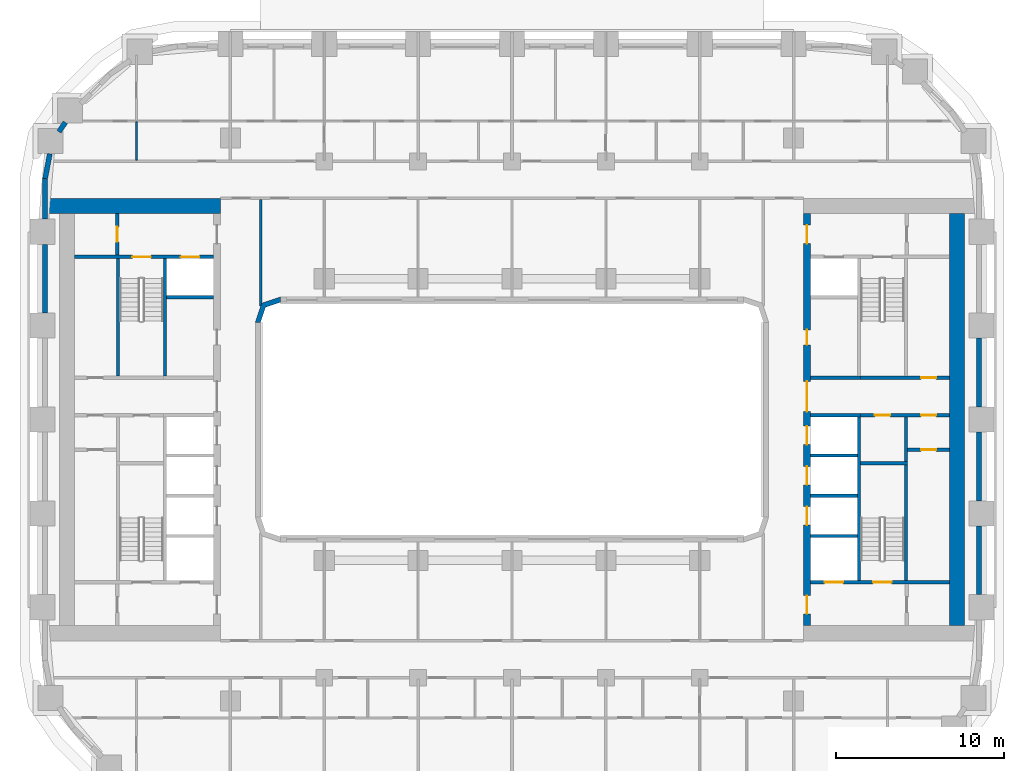
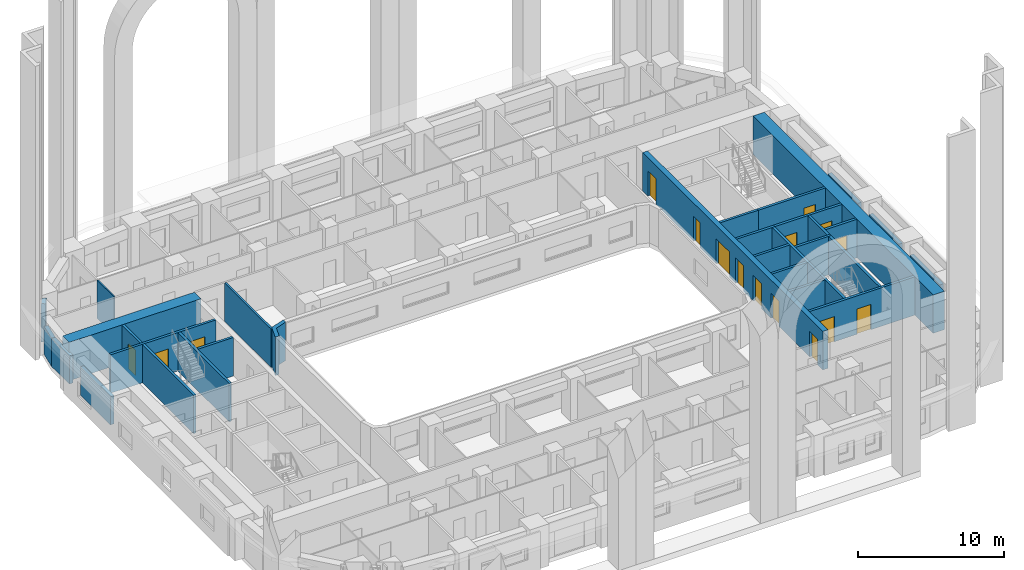
# One storey, part 6 of 21: 31 walls, 16 doors, 16 openings.
"""IFC4 building model written with IfcOpenShell, lengths in metres."""

from ifc_helpers import new_model, si_unit, direction, frame, frame_2d, origin, place, context, subcontext, project, spatial, polyline, rectangle, outline, extrude, material, layer, layer_set, type_object, element, fill, save


model = new_model("IFC4")

# Units and contexts
model_context = context("Model", 3, precision=1e-05, world=origin(), true_north=direction((0.0, 1.0)))
body_context = subcontext(model_context, "Body", "Model", "MODEL_VIEW")
ifc_project = project(units=[si_unit("LENGTHUNIT", "METRE"), si_unit("AREAUNIT", "SQUARE_METRE"), si_unit("VOLUMEUNIT", "CUBIC_METRE"), si_unit("PLANEANGLEUNIT", "RADIAN"), si_unit("MASSUNIT", "GRAM", prefix="KILO")], contexts=[model_context])

# Site, building, storey
site_placement = place(None, origin())
site = spatial("IfcSite", under=ifc_project, at=site_placement, CompositionType="ELEMENT")
building_placement = place(site_placement, origin())
building = spatial("IfcBuilding", under=site, at=building_placement, Name="Kiln Ring Residences", CompositionType="ELEMENT")
storey_placement = place(building_placement, frame((0.0, 0.0, 30.5)))
storey = spatial("IfcBuildingStorey", under=building, at=storey_placement, Name="L06", CompositionType="ELEMENT", Elevation=30.5)

# Wall, opening, door
ifc_material_1 = material(Name="Gypsum board on steel studs", Category="steel")
ifc_layer_1 = layer(ifc_material_1, 0.199951171875)
ifc_layer_set_1 = layer_set([ifc_layer_1], Name="CORE-PARTITION-200")
wall_type_1 = type_object("IfcWallType", Name="CORE-PARTITION-200", PredefinedType="PARTITIONING", material=ifc_layer_set_1)
wall_1_placement = place(storey_placement, frame((-23.550048828125, 9.800048828125, 0.0), z_axis=(0.0, 0.0, 1.0), x_axis=(0.0, 1.0, 0.0)))
wall_1 = element("IfcWall", 1, at=wall_1_placement, inside=storey, type_object=wall_type_1, Name="Core partition west L06 3", PredefinedType="PARTITIONING", context=body_context, shape_type="SweptSolid", body=[
    extrude(rectangle(XDim=2.5, YDim=0.199951171875, at=frame_2d((1.25, 0.0))), origin(), (0.0, 0.0, 1.0), 3.199951171875),
])
opening_1_placement = place(wall_1_placement, frame((0.800048828125, 0.0, 0.0)))
opening_1 = element("IfcOpeningElement", 2, at=opening_1_placement, cuts=wall_1, Name="Opening L06-CW09", PredefinedType="OPENING", context=body_context, shape_type="SweptSolid", body=[
    extrude(rectangle(XDim=0.89990234375, YDim=2.10009765625, at=frame_2d((0.449951171875, 1.050048828125))), frame((0.0, 0.10986328125, 0.0), z_axis=(0.0, -1.0, 0.0), x_axis=(1.0, 0.0, 0.0)), (0.0, 0.0, 1.0), 0.219970703125),
])
ifc_material_2 = material(Name="Steel door leaf", Category="steel")
door_type_1 = type_object("IfcDoorType", Name="CORE-DOOR-ROOM", OperationType="SINGLE_SWING_LEFT", PredefinedType="DOOR", material=ifc_material_2)
door_1_placement = place(opening_1_placement, origin())
door_1 = element("IfcDoor", 3, at=door_1_placement, inside=storey, type_object=door_type_1, Name="Fire riser room L06-CW09", OperationType="SINGLE_SWING_LEFT", OverallHeight=2.10009765625, OverallWidth=0.89990234375, PredefinedType="DOOR", context=body_context, shape_type="SweptSolid", body=[
    extrude(rectangle(XDim=0.89990234375, YDim=2.10009765625, at=frame_2d((0.449951171875, 1.050048828125))), frame((0.0, 0.02490234375, 0.0), z_axis=(0.0, -1.0, 0.0), x_axis=(1.0, 0.0, 0.0)), (0.0, 0.0, 1.0), 0.050048828125),
])
fill(opening_1, door_1)

# Wall
wall_2_placement = place(storey_placement, frame((23.5, -2.5, 0.0), z_axis=(0.0, 0.0, 1.0), x_axis=(0.0, 1.0, 0.0)))
element("IfcWall", 4, at=wall_2_placement, inside=storey, type_object=wall_type_1, Name="Core partition east L06 1", PredefinedType="PARTITIONING", context=body_context, shape_type="SweptSolid", body=[
    extrude(rectangle(XDim=2.64990234375, YDim=0.199951171875, at=frame_2d((1.324951171875, 0.0))), origin(), (0.0, 0.0, 1.0), 3.199951171875),
])

# Wall, openings, doors
wall_3_placement = place(storey_placement, frame((20.800048828125, 0.25, 0.0), z_axis=(0.0, 0.0, 1.0), x_axis=(1.0, 0.0, 0.0)))
wall_3 = element("IfcWall", 5, at=wall_3_placement, inside=storey, type_object=wall_type_1, Name="Core partition east L06 2", PredefinedType="PARTITIONING", context=body_context, shape_type="SweptSolid", body=[
    extrude(rectangle(XDim=5.300048828125, YDim=0.199951171875, at=frame_2d((2.64990234375, 0.0))), origin(), (0.0, 0.0, 1.0), 3.199951171875),
])
opening_2_placement = place(wall_3_placement, frame((0.85009765625, 0.0, 0.0)))
opening_2 = element("IfcOpeningElement", 6, at=opening_2_placement, cuts=wall_3, Name="Opening L06-CE14", PredefinedType="OPENING", context=body_context, shape_type="SweptSolid", body=[
    extrude(rectangle(XDim=0.89990234375, YDim=2.10009765625, at=frame_2d((0.449951171875, 1.050048828125))), frame((0.0, 0.10986328125, 0.0), z_axis=(0.0, -1.0, 0.0), x_axis=(1.0, 0.0, 0.0)), (0.0, 0.0, 1.0), 0.219970703125),
])
opening_3_placement = place(wall_3_placement, frame((3.60009765625, 0.0, 0.0)))
opening_3 = element("IfcOpeningElement", 7, at=opening_3_placement, cuts=wall_3, Name="Opening L06-CE16", PredefinedType="OPENING", context=body_context, shape_type="SweptSolid", body=[
    extrude(rectangle(XDim=0.89990234375, YDim=2.10009765625, at=frame_2d((0.449951171875, 1.050048828125))), frame((0.0, 0.10986328125, 0.0), z_axis=(0.0, -1.0, 0.0), x_axis=(1.0, 0.0, 0.0)), (0.0, 0.0, 1.0), 0.219970703125),
])
door_2_placement = place(opening_2_placement, origin())
door_2 = element("IfcDoor", 8, at=door_2_placement, inside=storey, type_object=door_type_1, Name="Linen store L06-CE14", OperationType="SINGLE_SWING_LEFT", OverallHeight=2.10009765625, OverallWidth=0.89990234375, PredefinedType="DOOR", context=body_context, shape_type="SweptSolid", body=[
    extrude(rectangle(XDim=0.89990234375, YDim=2.10009765625, at=frame_2d((0.449951171875, 1.050048828125))), frame((0.0, 0.02490234375, 0.0), z_axis=(0.0, -1.0, 0.0), x_axis=(1.0, 0.0, 0.0)), (0.0, 0.0, 1.0), 0.050048828125),
])
fill(opening_2, door_2)
door_3_placement = place(opening_3_placement, origin())
door_3 = element("IfcDoor", 9, at=door_3_placement, inside=storey, type_object=door_type_1, Name="Pump and valve room L06-CE16", OperationType="SINGLE_SWING_LEFT", OverallHeight=2.10009765625, OverallWidth=0.89990234375, PredefinedType="DOOR", context=body_context, shape_type="SweptSolid", body=[
    extrude(rectangle(XDim=0.89990234375, YDim=2.10009765625, at=frame_2d((0.449951171875, 1.050048828125))), frame((0.0, 0.02490234375, 0.0), z_axis=(0.0, -1.0, 0.0), x_axis=(1.0, 0.0, 0.0)), (0.0, 0.0, 1.0), 0.050048828125),
])
fill(opening_3, door_3)

# Wall, opening, door
wall_4_placement = place(storey_placement, frame((23.60009765625, -1.800048828125, 0.0), z_axis=(0.0, 0.0, 1.0), x_axis=(1.0, 0.0, 0.0)))
wall_4 = element("IfcWall", 10, at=wall_4_placement, inside=storey, type_object=wall_type_1, Name="Core partition east L06 5", PredefinedType="PARTITIONING", context=body_context, shape_type="SweptSolid", body=[
    extrude(rectangle(XDim=2.5, YDim=0.199951171875, at=frame_2d((1.25, 0.0))), origin(), (0.0, 0.0, 1.0), 3.199951171875),
])
opening_4_placement = place(wall_4_placement, frame((0.800048828125, 0.0, 0.0)))
opening_4 = element("IfcOpeningElement", 11, at=opening_4_placement, cuts=wall_4, Name="Opening L06-CE15", PredefinedType="OPENING", context=body_context, shape_type="SweptSolid", body=[
    extrude(rectangle(XDim=0.89990234375, YDim=2.10009765625, at=frame_2d((0.449951171875, 1.050048828125))), frame((0.0, 0.10986328125, 0.0), z_axis=(0.0, -1.0, 0.0), x_axis=(1.0, 0.0, 0.0)), (0.0, 0.0, 1.0), 0.219970703125),
])
door_4_placement = place(opening_4_placement, origin())
door_4 = element("IfcDoor", 12, at=door_4_placement, inside=storey, type_object=door_type_1, Name="Pump and valve room L06-CE15", OperationType="SINGLE_SWING_LEFT", OverallHeight=2.10009765625, OverallWidth=0.89990234375, PredefinedType="DOOR", context=body_context, shape_type="SweptSolid", body=[
    extrude(rectangle(XDim=0.89990234375, YDim=2.10009765625, at=frame_2d((0.449951171875, 1.050048828125))), frame((0.0, 0.02490234375, 0.0), z_axis=(0.0, -1.0, 0.0), x_axis=(1.0, 0.0, 0.0)), (0.0, 0.0, 1.0), 0.050048828125),
])
fill(opening_4, door_4)

# Walls
ifc_material_3 = material(Name="Gypsum shaft wall system")
ifc_layer_2 = layer(ifc_material_3, 0.199951171875)
ifc_layer_set_2 = layer_set([ifc_layer_2], Name="CORE-SHAFT-WALL-200")
wall_type_2 = type_object("IfcWallType", Name="CORE-SHAFT-WALL-200", PredefinedType="PARTITIONING", material=ifc_layer_set_2)
for number, where, z_axis, x_axis, name in (
    (13, (-17.800048828125, 7.300048828125, 0.0), (0.0, 0.0, 1.0), (-1.0, 0.0, 0.0), "Core partition west L06 11"),
    (14, (17.800048828125, -6.949951171875, 0.0), (0.0, 0.0, 1.0), (1.0, 0.0, 0.0), "Core partition east L06 6"),
    (15, (17.800048828125, -4.550048828125, 0.0), (0.0, 0.0, 1.0), (1.0, 0.0, 0.0), "Core partition east L06 7"),
    (16, (17.800048828125, -2.14990234375, 0.0), (0.0, 0.0, 1.0), (1.0, 0.0, 0.0), "Core partition east L06 8"),
):
    element("IfcWall", number, at=place(storey_placement, frame(where, z_axis=z_axis, x_axis=x_axis)), inside=storey, type_object=wall_type_2, Name=name, PredefinedType="PARTITIONING", context=body_context, shape_type="SweptSolid", body=[
        extrude(rectangle(XDim=2.800048828125, YDim=0.199951171875, at=frame_2d((1.39990234375, 0.0))), origin(), (0.0, 0.0, 1.0), 3.199951171875),
    ])
for number, where, z_axis, x_axis, name in (
    (17, (17.800048828125, 0.25, 0.0), (0.0, 0.0, 1.0), (1.0, 0.0, 0.0), "Core partition east L06 9"),
    (18, (17.800048828125, 2.5, 0.0), (0.0, 0.0, 1.0), (1.0, 0.0, 0.0), "Core partition east L06 10"),
):
    element("IfcWall", number, at=place(storey_placement, frame(where, z_axis=z_axis, x_axis=x_axis)), inside=storey, type_object=wall_type_2, Name=name, PredefinedType="PARTITIONING", context=body_context, shape_type="SweptSolid", body=[
        extrude(rectangle(XDim=3.0, YDim=0.199951171875, at=frame_2d((1.5, 0.0))), origin(), (0.0, 0.0, 1.0), 3.199951171875),
    ])
ifc_material_4 = material(Name="Concrete C40/50", Category="concrete")
ifc_layer_3 = layer(ifc_material_4, 0.199951171875)
ifc_layer_set_3 = layer_set([ifc_layer_3], Name="CORE-WALL-RC200")
wall_type_3 = type_object("IfcWallType", Name="CORE-WALL-RC200", PredefinedType="SHEAR", material=ifc_layer_set_3)
wall_5_placement = place(storey_placement, frame((-20.699951171875, 2.60009765625, 0.0), z_axis=(0.0, 0.0, 1.0), x_axis=(0.0, 1.0, 0.0)))
element("IfcWall", 19, at=wall_5_placement, inside=storey, type_object=wall_type_3, Name="Core wall west L06 1", PredefinedType="SHEAR", context=body_context, shape_type="SweptSolid", body=[
    extrude(rectangle(XDim=7.0, YDim=0.199951171875, at=frame_2d((3.5, 0.0))), origin(), (0.0, 0.0, 1.0), 3.199951171875),
])

# Wall, openings, doors
wall_6_placement = place(storey_placement, frame((-17.800048828125, 9.699951171875, 0.0), z_axis=(0.0, 0.0, 1.0), x_axis=(-1.0, 0.0, 0.0)))
wall_6 = element("IfcWall", 20, at=wall_6_placement, inside=storey, type_object=wall_type_3, Name="Core wall west L06 9", PredefinedType="SHEAR", context=body_context, shape_type="SweptSolid", body=[
    extrude(rectangle(XDim=8.300048828125, YDim=0.199951171875, at=frame_2d((4.14990234375, 0.0))), origin(), (0.0, 0.0, 1.0), 3.199951171875),
])
opening_5_placement = place(wall_6_placement, frame((0.85009765625, 0.0, 0.0)))
opening_5 = element("IfcOpeningElement", 21, at=opening_5_placement, cuts=wall_6, Name="Opening L06-CW06", PredefinedType="OPENING", context=body_context, shape_type="SweptSolid", body=[
    extrude(rectangle(XDim=1.10009765625, YDim=2.10009765625, at=frame_2d((0.550048828125, 1.050048828125))), frame((0.0, 0.10986328125, 0.0), z_axis=(0.0, -1.0, 0.0), x_axis=(1.0, 0.0, 0.0)), (0.0, 0.0, 1.0), 0.219970703125),
])
opening_6_placement = place(wall_6_placement, frame((3.75, 0.0, 0.0)))
opening_6 = element("IfcOpeningElement", 22, at=opening_6_placement, cuts=wall_6, Name="Opening L06-CW11", PredefinedType="OPENING", context=body_context, shape_type="SweptSolid", body=[
    extrude(rectangle(XDim=1.10009765625, YDim=2.10009765625, at=frame_2d((0.550048828125, 1.050048828125))), frame((0.0, 0.10986328125, 0.0), z_axis=(0.0, -1.0, 0.0), x_axis=(1.0, 0.0, 0.0)), (0.0, 0.0, 1.0), 0.219970703125),
])
ifc_material_5 = material(Name="Steel door leaf", Category="steel")
door_type_2 = type_object("IfcDoorType", Name="CORE-DOOR-LD", OperationType="DOUBLE_DOOR_SLIDING", PredefinedType="DOOR", material=ifc_material_5)
door_5_placement = place(opening_5_placement, origin())
door_5 = element("IfcDoor", 23, at=door_5_placement, inside=storey, type_object=door_type_2, Name="LD W-FF L06-CW06", OperationType="DOUBLE_DOOR_SLIDING", OverallHeight=2.10009765625, OverallWidth=1.10009765625, PredefinedType="DOOR", context=body_context, shape_type="SweptSolid", body=[
    extrude(rectangle(XDim=1.10009765625, YDim=2.10009765625, at=frame_2d((0.550048828125, 1.050048828125))), frame((0.0, 0.02490234375, 0.0), z_axis=(0.0, -1.0, 0.0), x_axis=(1.0, 0.0, 0.0)), (0.0, 0.0, 1.0), 0.050048828125),
])
fill(opening_5, door_5)
ifc_material_6 = material(Name="Steel door leaf", Category="steel")
door_type_3 = type_object("IfcDoorType", Name="CORE-DOOR-STAIR", OperationType="SINGLE_SWING_LEFT", PredefinedType="DOOR", material=ifc_material_6)
door_6_placement = place(opening_6_placement, origin())
door_6 = element("IfcDoor", 24, at=door_6_placement, inside=storey, type_object=door_type_3, Name="Stair W-STN L06-CW11", OperationType="SINGLE_SWING_LEFT", OverallHeight=2.10009765625, OverallWidth=1.10009765625, PredefinedType="DOOR", context=body_context, shape_type="SweptSolid", body=[
    extrude(rectangle(XDim=1.10009765625, YDim=2.10009765625, at=frame_2d((0.550048828125, 1.050048828125))), frame((0.0, 0.02490234375, 0.0), z_axis=(0.0, -1.0, 0.0), x_axis=(1.0, 0.0, 0.0)), (0.0, 0.0, 1.0), 0.050048828125),
])
fill(opening_6, door_6)

# Walls
wall_7_placement = place(storey_placement, frame((-23.5, 2.60009765625, 0.0), z_axis=(0.0, 0.0, 1.0), x_axis=(0.0, 1.0, 0.0)))
element("IfcWall", 25, at=wall_7_placement, inside=storey, type_object=wall_type_3, Name="Core wall west L06 10", PredefinedType="SHEAR", context=body_context, shape_type="SweptSolid", body=[
    extrude(rectangle(XDim=7.0, YDim=0.199951171875, at=frame_2d((3.5, 0.0))), origin(), (0.0, 0.0, 1.0), 3.199951171875),
])
wall_8_placement = place(storey_placement, frame((20.699951171875, -9.60009765625, 0.0), z_axis=(0.0, 0.0, 1.0), x_axis=(0.0, 1.0, 0.0)))
element("IfcWall", 26, at=wall_8_placement, inside=storey, type_object=wall_type_3, Name="Core wall east L06 2", PredefinedType="SHEAR", context=body_context, shape_type="SweptSolid", body=[
    extrude(rectangle(XDim=9.75, YDim=0.199951171875, at=frame_2d((4.875, 0.0))), origin(), (0.0, 0.0, 1.0), 3.199951171875),
])

# Wall, opening, door
wall_9_placement = place(storey_placement, frame((20.800048828125, 2.5, 0.0), z_axis=(0.0, 0.0, 1.0), x_axis=(1.0, 0.0, 0.0)))
wall_9 = element("IfcWall", 27, at=wall_9_placement, inside=storey, type_object=wall_type_3, Name="Core wall east L06 3", PredefinedType="SHEAR", context=body_context, shape_type="SweptSolid", body=[
    extrude(rectangle(XDim=5.300048828125, YDim=0.199951171875, at=frame_2d((2.64990234375, 0.0))), origin(), (0.0, 0.0, 1.0), 3.199951171875),
])
opening_7_placement = place(wall_9_placement, frame((3.60009765625, 0.0, 0.0)))
opening_7 = element("IfcOpeningElement", 28, at=opening_7_placement, cuts=wall_9, Name="Opening L06-CE17", PredefinedType="OPENING", context=body_context, shape_type="SweptSolid", body=[
    extrude(rectangle(XDim=0.89990234375, YDim=2.10009765625, at=frame_2d((0.449951171875, 1.050048828125))), frame((0.0, 0.10986328125, 0.0), z_axis=(0.0, -1.0, 0.0), x_axis=(1.0, 0.0, 0.0)), (0.0, 0.0, 1.0), 0.219970703125),
])
door_7_placement = place(opening_7_placement, origin())
door_7 = element("IfcDoor", 29, at=door_7_placement, inside=storey, type_object=door_type_1, Name="Electrical plant room L06-CE17", OperationType="SINGLE_SWING_LEFT", OverallHeight=2.10009765625, OverallWidth=0.89990234375, PredefinedType="DOOR", context=body_context, shape_type="SweptSolid", body=[
    extrude(rectangle(XDim=0.89990234375, YDim=2.10009765625, at=frame_2d((0.449951171875, 1.050048828125))), frame((0.0, 0.02490234375, 0.0), z_axis=(0.0, -1.0, 0.0), x_axis=(1.0, 0.0, 0.0)), (0.0, 0.0, 1.0), 0.050048828125),
])
fill(opening_7, door_7)

# Wall, openings, doors
wall_10_placement = place(storey_placement, frame((17.800048828125, -9.699951171875, 0.0), z_axis=(0.0, 0.0, 1.0), x_axis=(1.0, 0.0, 0.0)))
wall_10 = element("IfcWall", 30, at=wall_10_placement, inside=storey, type_object=wall_type_3, Name="Core wall east L06 8", PredefinedType="SHEAR", context=body_context, shape_type="SweptSolid", body=[
    extrude(rectangle(XDim=8.300048828125, YDim=0.199951171875, at=frame_2d((4.14990234375, 0.0))), origin(), (0.0, 0.0, 1.0), 3.199951171875),
])
opening_8_placement = place(wall_10_placement, frame((0.85009765625, 0.0, 0.0)))
opening_8 = element("IfcOpeningElement", 31, at=opening_8_placement, cuts=wall_10, Name="Opening L06-CE01", PredefinedType="OPENING", context=body_context, shape_type="SweptSolid", body=[
    extrude(rectangle(XDim=1.10009765625, YDim=2.10009765625, at=frame_2d((0.550048828125, 1.050048828125))), frame((0.0, 0.10986328125, 0.0), z_axis=(0.0, -1.0, 0.0), x_axis=(1.0, 0.0, 0.0)), (0.0, 0.0, 1.0), 0.219970703125),
])
opening_9_placement = place(wall_10_placement, frame((3.75, 0.0, 0.0)))
opening_9 = element("IfcOpeningElement", 32, at=opening_9_placement, cuts=wall_10, Name="Opening L06-CE12", PredefinedType="OPENING", context=body_context, shape_type="SweptSolid", body=[
    extrude(rectangle(XDim=1.10009765625, YDim=2.10009765625, at=frame_2d((0.550048828125, 1.050048828125))), frame((0.0, 0.10986328125, 0.0), z_axis=(0.0, -1.0, 0.0), x_axis=(1.0, 0.0, 0.0)), (0.0, 0.0, 1.0), 0.219970703125),
])
door_8_placement = place(opening_8_placement, origin())
door_8 = element("IfcDoor", 33, at=door_8_placement, inside=storey, type_object=door_type_2, Name="LD E-SV L06-CE01", OperationType="DOUBLE_DOOR_SLIDING", OverallHeight=2.10009765625, OverallWidth=1.10009765625, PredefinedType="DOOR", context=body_context, shape_type="SweptSolid", body=[
    extrude(rectangle(XDim=1.10009765625, YDim=2.10009765625, at=frame_2d((0.550048828125, 1.050048828125))), frame((0.0, 0.02490234375, 0.0), z_axis=(0.0, -1.0, 0.0), x_axis=(1.0, 0.0, 0.0)), (0.0, 0.0, 1.0), 0.050048828125),
])
fill(opening_8, door_8)
door_9_placement = place(opening_9_placement, origin())
door_9 = element("IfcDoor", 34, at=door_9_placement, inside=storey, type_object=door_type_3, Name="Stair E-STS L06-CE12", OperationType="SINGLE_SWING_RIGHT", OverallHeight=2.10009765625, OverallWidth=1.10009765625, PredefinedType="DOOR", context=body_context, shape_type="SweptSolid", body=[
    extrude(rectangle(XDim=1.10009765625, YDim=2.10009765625, at=frame_2d((0.550048828125, 1.050048828125))), frame((0.0, 0.02490234375, 0.0), z_axis=(0.0, -1.0, 0.0), x_axis=(1.0, 0.0, 0.0)), (0.0, 0.0, 1.0), 0.050048828125),
])
fill(opening_9, door_9)

# Walls
wall_11_placement = place(storey_placement, frame((23.5, -9.60009765625, 0.0), z_axis=(0.0, 0.0, 1.0), x_axis=(0.0, 1.0, 0.0)))
element("IfcWall", 35, at=wall_11_placement, inside=storey, type_object=wall_type_3, Name="Core wall east L06 11", PredefinedType="SHEAR", context=body_context, shape_type="SweptSolid", body=[
    extrude(rectangle(XDim=6.900146484375, YDim=0.199951171875, at=frame_2d((3.4501953125, 0.0))), origin(), (0.0, 0.0, 1.0), 3.199951171875),
])
wall_12_placement = place(storey_placement, frame((20.800048828125, -2.60009765625, 0.0), z_axis=(0.0, 0.0, 1.0), x_axis=(1.0, 0.0, 0.0)))
element("IfcWall", 36, at=wall_12_placement, inside=storey, type_object=wall_type_3, Name="Core wall east L06 12", PredefinedType="SHEAR", context=body_context, shape_type="SweptSolid", body=[
    extrude(rectangle(XDim=2.800048828125, YDim=0.199951171875, at=frame_2d((1.39990234375, 0.0))), origin(), (0.0, 0.0, 1.0), 3.199951171875),
])

# Wall, openings, doors
ifc_material_7 = material(Name="Concrete C60/75", Category="concrete")
ifc_layer_4 = layer(ifc_material_7, 0.39990234375)
ifc_layer_set_4 = layer_set([ifc_layer_4], Name="CORE-WALL-RC400")
wall_type_4 = type_object("IfcWallType", Name="CORE-WALL-RC400", PredefinedType="SHEAR", material=ifc_layer_set_4)
wall_13_placement = place(storey_placement, frame((17.60009765625, -12.300048828125, 0.0), z_axis=(0.0, 0.0, 1.0), x_axis=(0.0, 1.0, 0.0)))
wall_13 = element("IfcWall", 37, at=wall_13_placement, inside=storey, type_object=wall_type_4, Name="Core wall east L06 6", PredefinedType="SHEAR", context=body_context, shape_type="SweptSolid", body=[
    extrude(rectangle(XDim=24.60009765625, YDim=0.39990234375, at=frame_2d((12.300048828125, 0.0))), origin(), (0.0, 0.0, 1.0), 3.199951171875),
])
opening_10_placement = place(wall_13_placement, frame((6.0, 0.0, 0.0)))
opening_10 = element("IfcOpeningElement", 38, at=opening_10_placement, cuts=wall_13, Name="Opening L06-CE02", PredefinedType="OPENING", context=body_context, shape_type="SweptSolid", body=[
    extrude(rectangle(XDim=1.10009765625, YDim=2.10009765625, at=frame_2d((0.550048828125, 1.050048828125))), frame((0.0, 0.2099609375, 0.0), z_axis=(0.0, -1.0, 0.0), x_axis=(1.0, 0.0, 0.0)), (0.0, 0.0, 1.0), 0.419921875),
])
opening_11_placement = place(wall_13_placement, frame((8.39990234375, 0.0, 0.0)))
opening_11 = element("IfcOpeningElement", 39, at=opening_11_placement, cuts=wall_13, Name="Opening L06-CE03", PredefinedType="OPENING", context=body_context, shape_type="SweptSolid", body=[
    extrude(rectangle(XDim=1.10009765625, YDim=2.10009765625, at=frame_2d((0.550048828125, 1.050048828125))), frame((0.0, 0.2099609375, 0.0), z_axis=(0.0, -1.0, 0.0), x_axis=(1.0, 0.0, 0.0)), (0.0, 0.0, 1.0), 0.419921875),
])
opening_12_placement = place(wall_13_placement, frame((10.800048828125, 0.0, 0.0)))
opening_12 = element("IfcOpeningElement", 40, at=opening_12_placement, cuts=wall_13, Name="Opening L06-CE04", PredefinedType="OPENING", context=body_context, shape_type="SweptSolid", body=[
    extrude(rectangle(XDim=1.10009765625, YDim=2.10009765625, at=frame_2d((0.550048828125, 1.050048828125))), frame((0.0, 0.2099609375, 0.0), z_axis=(0.0, -1.0, 0.0), x_axis=(1.0, 0.0, 0.0)), (0.0, 0.0, 1.0), 0.419921875),
])
opening_13_placement = place(wall_13_placement, frame((16.75, 0.0, 0.0)))
opening_13 = element("IfcOpeningElement", 41, at=opening_13_placement, cuts=wall_13, Name="Opening L06-CE05", PredefinedType="OPENING", context=body_context, shape_type="SweptSolid", body=[
    extrude(rectangle(XDim=0.89990234375, YDim=2.10009765625, at=frame_2d((0.449951171875, 1.050048828125))), frame((0.0, 0.2099609375, 0.0), z_axis=(0.0, -1.0, 0.0), x_axis=(1.0, 0.0, 0.0)), (0.0, 0.0, 1.0), 0.419921875),
])
opening_14_placement = place(wall_13_placement, frame((22.800048828125, 0.0, 0.0)))
opening_14 = element("IfcOpeningElement", 42, at=opening_14_placement, cuts=wall_13, Name="Opening L06-CE07", PredefinedType="OPENING", context=body_context, shape_type="SweptSolid", body=[
    extrude(rectangle(XDim=1.10009765625, YDim=2.10009765625, at=frame_2d((0.550048828125, 1.050048828125))), frame((0.0, 0.2099609375, 0.0), z_axis=(0.0, -1.0, 0.0), x_axis=(1.0, 0.0, 0.0)), (0.0, 0.0, 1.0), 0.419921875),
])
opening_15_placement = place(wall_13_placement, frame((0.699951171875, 0.0, 0.0)))
opening_15 = element("IfcOpeningElement", 43, at=opening_15_placement, cuts=wall_13, Name="Opening L06-CE08", PredefinedType="OPENING", context=body_context, shape_type="SweptSolid", body=[
    extrude(rectangle(XDim=1.10009765625, YDim=2.10009765625, at=frame_2d((0.550048828125, 1.050048828125))), frame((0.0, 0.2099609375, 0.0), z_axis=(0.0, -1.0, 0.0), x_axis=(1.0, 0.0, 0.0)), (0.0, 0.0, 1.0), 0.419921875),
])
opening_16_placement = place(wall_13_placement, frame((12.77490234375, 0.0, 0.0)))
opening_16 = element("IfcOpeningElement", 44, at=opening_16_placement, cuts=wall_13, Name="Opening L06-CE13", PredefinedType="OPENING", context=body_context, shape_type="SweptSolid", body=[
    extrude(rectangle(XDim=1.800048828125, YDim=2.10009765625, at=frame_2d((0.89990234375, 1.050048828125))), frame((0.0, 0.2099609375, 0.0), z_axis=(0.0, -1.0, 0.0), x_axis=(1.0, 0.0, 0.0)), (0.0, 0.0, 1.0), 0.419921875),
])
door_10_placement = place(opening_10_placement, origin())
door_10 = element("IfcDoor", 45, at=door_10_placement, inside=storey, type_object=door_type_2, Name="LD E-L1 L06-CE02", OperationType="DOUBLE_DOOR_SLIDING", OverallHeight=2.10009765625, OverallWidth=1.10009765625, PredefinedType="DOOR", context=body_context, shape_type="SweptSolid", body=[
    extrude(rectangle(XDim=1.10009765625, YDim=2.10009765625, at=frame_2d((0.550048828125, 1.050048828125))), frame((0.0, 0.02490234375, 0.0), z_axis=(0.0, -1.0, 0.0), x_axis=(1.0, 0.0, 0.0)), (0.0, 0.0, 1.0), 0.050048828125),
])
fill(opening_10, door_10)
door_11_placement = place(opening_11_placement, origin())
door_11 = element("IfcDoor", 46, at=door_11_placement, inside=storey, type_object=door_type_2, Name="LD E-L2 L06-CE03", OperationType="DOUBLE_DOOR_SLIDING", OverallHeight=2.10009765625, OverallWidth=1.10009765625, PredefinedType="DOOR", context=body_context, shape_type="SweptSolid", body=[
    extrude(rectangle(XDim=1.10009765625, YDim=2.10009765625, at=frame_2d((0.550048828125, 1.050048828125))), frame((0.0, 0.02490234375, 0.0), z_axis=(0.0, -1.0, 0.0), x_axis=(1.0, 0.0, 0.0)), (0.0, 0.0, 1.0), 0.050048828125),
])
fill(opening_11, door_11)
door_12_placement = place(opening_12_placement, origin())
door_12 = element("IfcDoor", 47, at=door_12_placement, inside=storey, type_object=door_type_2, Name="LD E-L3 L06-CE04", OperationType="DOUBLE_DOOR_SLIDING", OverallHeight=2.10009765625, OverallWidth=1.10009765625, PredefinedType="DOOR", context=body_context, shape_type="SweptSolid", body=[
    extrude(rectangle(XDim=1.10009765625, YDim=2.10009765625, at=frame_2d((0.550048828125, 1.050048828125))), frame((0.0, 0.02490234375, 0.0), z_axis=(0.0, -1.0, 0.0), x_axis=(1.0, 0.0, 0.0)), (0.0, 0.0, 1.0), 0.050048828125),
])
fill(opening_12, door_12)
ifc_material_8 = material(Name="Steel door leaf", Category="steel")
door_type_4 = type_object("IfcDoorType", Name="CORE-DOOR-LOBBY", OperationType="SINGLE_SWING_LEFT", PredefinedType="DOOR", material=ifc_material_8)
door_13_placement = place(opening_14_placement, origin())
door_13 = element("IfcDoor", 48, at=door_13_placement, inside=storey, type_object=door_type_4, Name="FFL L06-CE07", OperationType="SINGLE_SWING_LEFT", OverallHeight=2.10009765625, OverallWidth=1.10009765625, PredefinedType="DOOR", context=body_context, shape_type="SweptSolid", body=[
    extrude(rectangle(XDim=1.10009765625, YDim=2.10009765625, at=frame_2d((0.550048828125, 1.050048828125))), frame((0.0, 0.02490234375, 0.0), z_axis=(0.0, -1.0, 0.0), x_axis=(1.0, 0.0, 0.0)), (0.0, 0.0, 1.0), 0.050048828125),
])
fill(opening_14, door_13)
door_14_placement = place(opening_15_placement, origin())
door_14 = element("IfcDoor", 49, at=door_14_placement, inside=storey, type_object=door_type_4, Name="SVL L06-CE08", OperationType="SINGLE_SWING_RIGHT", OverallHeight=2.10009765625, OverallWidth=1.10009765625, PredefinedType="DOOR", context=body_context, shape_type="SweptSolid", body=[
    extrude(rectangle(XDim=1.10009765625, YDim=2.10009765625, at=frame_2d((0.550048828125, 1.050048828125))), frame((0.0, 0.02490234375, 0.0), z_axis=(0.0, -1.0, 0.0), x_axis=(1.0, 0.0, 0.0)), (0.0, 0.0, 1.0), 0.050048828125),
])
fill(opening_15, door_14)
ifc_material_9 = material(Name="Steel door leaf", Category="steel")
door_type_5 = type_object("IfcDoorType", Name="CORE-DOOR-PASS", OperationType="DOUBLE_DOOR_SINGLE_SWING", PredefinedType="DOOR", material=ifc_material_9)
door_15_placement = place(opening_16_placement, origin())
door_15 = element("IfcDoor", 50, at=door_15_placement, inside=storey, type_object=door_type_5, Name="Core passage L06-CE13", OperationType="DOUBLE_DOOR_SINGLE_SWING", OverallHeight=2.10009765625, OverallWidth=1.800048828125, PredefinedType="DOOR", context=body_context, shape_type="SweptSolid", body=[
    extrude(rectangle(XDim=1.800048828125, YDim=2.10009765625, at=frame_2d((0.89990234375, 1.050048828125))), frame((0.0, 0.02490234375, 0.0), z_axis=(0.0, -1.0, 0.0), x_axis=(1.0, 0.0, 0.0)), (0.0, 0.0, 1.0), 0.050048828125),
])
fill(opening_16, door_15)
door_16_placement = place(opening_13_placement, origin())
door_16 = element("IfcDoor", 51, at=door_16_placement, inside=storey, type_object=door_type_1, Name="Goods store L06-CE05", OperationType="SINGLE_SWING_RIGHT", OverallHeight=2.10009765625, OverallWidth=0.89990234375, PredefinedType="DOOR", context=body_context, shape_type="SweptSolid", body=[
    extrude(rectangle(XDim=0.89990234375, YDim=2.10009765625, at=frame_2d((0.449951171875, 1.050048828125))), frame((0.0, 0.02490234375, 0.0), z_axis=(0.0, -1.0, 0.0), x_axis=(1.0, 0.0, 0.0)), (0.0, 0.0, 1.0), 0.050048828125),
])
fill(opening_13, door_16)

# Walls
ifc_material_10 = material(Name="Concrete C60/75", Category="concrete")
ifc_layer_5 = layer(ifc_material_10, 0.89990234375)
ifc_layer_set_5 = layer_set([ifc_layer_5], Name="CORE-WALL-RC900")
wall_type_5 = type_object("IfcWallType", Name="CORE-WALL-RC900", PredefinedType="SHEAR", material=ifc_layer_set_5)
wall_14_placement = place(storey_placement, frame((-17.39990234375, 12.75, 0.0), z_axis=(0.0, 0.0, 1.0), x_axis=(-1.0, 0.0, 0.0)))
element("IfcWall", 52, at=wall_14_placement, inside=storey, type_object=wall_type_5, Name="Core wall west L06 4", PredefinedType="SHEAR", context=body_context, shape_type="SweptSolid", body=[
    extrude(rectangle(XDim=10.400146484375, YDim=0.89990234375, at=frame_2d((5.2001953125, 0.0))), origin(), (0.0, 0.0, 1.0), 3.199951171875),
])
wall_15_placement = place(storey_placement, frame((26.550048828125, -12.300048828125, 0.0), z_axis=(0.0, 0.0, 1.0), x_axis=(0.0, 1.0, 0.0)))
element("IfcWall", 53, at=wall_15_placement, inside=storey, type_object=wall_type_5, Name="Core wall east L06 7", PredefinedType="SHEAR", context=body_context, shape_type="SweptSolid", body=[
    extrude(rectangle(XDim=24.60009765625, YDim=0.89990234375, at=frame_2d((12.300048828125, 0.0))), origin(), (0.0, 0.0, 1.0), 3.199951171875),
])
ifc_material_11 = material(Name="Brick masonry, dark clay brick", Category="masonry")
ifc_layer_6 = layer(ifc_material_11, 0.300048828125)
ifc_layer_set_6 = layer_set([ifc_layer_6], Name="EW-300 BRICK WALL")
wall_type_6 = type_object("IfcWallType", Name="EW-300 BRICK WALL", PredefinedType="SOLIDWALL", material=ifc_layer_set_6)
wall_16_placement = place(storey_placement, frame((27.85009765625, -10.449951171875, 0.0), z_axis=(0.0, 0.0, 1.0), x_axis=(0.0, 1.0, 0.0)))
element("IfcWall", 54, at=wall_16_placement, inside=storey, type_object=wall_type_6, Name="Facade wall L06 18", PredefinedType="SOLIDWALL", context=body_context, shape_type="SweptSolid", body=[
    extrude(rectangle(XDim=4.099853515625, YDim=0.300048828125, at=frame_2d((2.0498046875, 0.0))), origin(), (0.0, 0.0, 1.0), 2.35009765625),
])
for number, where, z_axis, x_axis, name in (
    (55, (27.85009765625, -4.85009765625, 0.0), (0.0, 0.0, 1.0), (0.0, 1.0, 0.0), "Facade wall L06 19"),
    (56, (27.85009765625, 0.75, 0.0), (0.0, 0.0, 1.0), (0.0, 1.0, 0.0), "Facade wall L06 20"),
):
    element("IfcWall", number, at=place(storey_placement, frame(where, z_axis=z_axis, x_axis=x_axis)), inside=storey, type_object=wall_type_6, Name=name, PredefinedType="SOLIDWALL", context=body_context, shape_type="SweptSolid", body=[
        extrude(rectangle(XDim=4.10009765625, YDim=0.300048828125, at=frame_2d((2.050048828125, 0.0))), origin(), (0.0, 0.0, 1.0), 2.35009765625),
    ])
wall_17_placement = place(storey_placement, frame((-26.644775390625, 17.72705078125, 0.0), z_axis=(0.0, 0.0, 1.0), x_axis=(-0.562083182981, -0.827080706709, 0.0)))
element("IfcWall", 57, at=wall_17_placement, inside=storey, type_object=wall_type_6, Name="Facade wall L06 39", PredefinedType="SOLIDWALL", context=body_context, shape_type="SweptSolid", body=[
    extrude(rectangle(XDim=0.67724609375, YDim=0.300048828125, at=frame_2d((0.338623046875, 0.0))), origin(), (0.0, 0.0, 1.0), 3.199951171875),
])
wall_18_placement = place(storey_placement, frame((-27.570556640625, 15.851318359375, 0.0), z_axis=(0.0, 0.0, 1.0), x_axis=(-0.187223837635, -0.982317277982, 0.0)))
element("IfcWall", 58, at=wall_18_placement, inside=storey, type_object=wall_type_6, Name="Facade wall L06 40", PredefinedType="SOLIDWALL", context=body_context, shape_type="SweptSolid", body=[
    extrude(rectangle(XDim=1.506103515625, YDim=0.300048828125, at=frame_2d((0.7529296875, 0.0))), origin(), (0.0, 0.0, 1.0), 2.35009765625),
])
wall_19_placement = place(storey_placement, frame((-27.85009765625, 14.39990234375, 0.0), z_axis=(0.0, 0.0, 1.0), x_axis=(0.0, -1.0, 0.0)))
element("IfcWall", 59, at=wall_19_placement, inside=storey, type_object=wall_type_6, Name="Facade wall L06 41", PredefinedType="SOLIDWALL", context=body_context, shape_type="SweptSolid", body=[
    extrude(rectangle(XDim=2.449951171875, YDim=0.300048828125, at=frame_2d((1.22509765625, 0.0))), origin(), (0.0, 0.0, 1.0), 2.35009765625),
])
wall_20_placement = place(storey_placement, frame((-27.85009765625, 10.449951171875, 0.0), z_axis=(0.0, 0.0, 1.0), x_axis=(0.0, -1.0, 0.0)))
element("IfcWall", 60, at=wall_20_placement, inside=storey, type_object=wall_type_6, Name="Facade wall L06 42", PredefinedType="SOLIDWALL", context=body_context, shape_type="SweptSolid", body=[
    extrude(rectangle(XDim=4.099853515625, YDim=0.300048828125, at=frame_2d((2.0498046875, 0.0))), origin(), (0.0, 0.0, 1.0), 2.35009765625),
])
wall_21_placement = place(storey_placement, origin())
element("IfcWall", 61, at=wall_21_placement, inside=storey, type_object=wall_type_6, Name="Corner wall L06 1", PredefinedType="SOLIDWALL", context=body_context, shape_type="SweptSolid", body=[
    extrude(outline(polyline([(-13.8486328125, 7.300048828125), (-14.937255859375, 6.937255859375), (-15.300048828125, 5.8486328125), (-15.300048828125, 5.800048828125), (-15.0, 5.800048828125), (-14.699951171875, 6.699951171875), (-13.800048828125, 7.0), (-13.800048828125, 7.300048828125), (-13.8486328125, 7.300048828125)])), origin(), (0.0, 0.0, 1.0), 3.199951171875),
])
ifc_material_12 = material(Name="Gypsum board on steel studs", Category="steel")
ifc_layer_7 = layer(ifc_material_12, 0.10009765625)
ifc_layer_set_7 = layer_set([ifc_layer_7], Name="PARTITION-100")
wall_type_7 = type_object("IfcWallType", Name="PARTITION-100", PredefinedType="PARTITIONING", material=ifc_layer_set_7)
wall_22_placement = place(storey_placement, frame((-22.39990234375, 15.47509765625, 0.0), z_axis=(0.0, 0.0, 1.0), x_axis=(0.0, 1.0, 0.0)))
element("IfcWall", 62, at=wall_22_placement, inside=storey, type_object=wall_type_7, Name="Partition 008", PredefinedType="PARTITIONING", context=body_context, shape_type="SweptSolid", body=[
    extrude(rectangle(XDim=2.27490234375, YDim=0.10009765625, at=frame_2d((1.137451171875, 0.0))), origin(), (0.0, 0.0, 1.0), 3.199951171875),
])
ifc_material_13 = material(Name="Brick masonry partition", Category="masonry")
ifc_layer_8 = layer(ifc_material_13, 0.14990234375)
ifc_layer_set_8 = layer_set([ifc_layer_8], Name="PARTITION-150-ei60")
wall_type_8 = type_object("IfcWallType", Name="PARTITION-150-ei60", PredefinedType="PARTITIONING", material=ifc_layer_set_8)
wall_23_placement = place(storey_placement, frame((-15.0, 6.768798828125, 0.0), z_axis=(0.0, 0.0, 1.0), x_axis=(0.0, 1.0, 0.0)))
element("IfcWall", 63, at=wall_23_placement, inside=storey, type_object=wall_type_8, Name="Partition 015", PredefinedType="PARTITIONING", context=body_context, shape_type="SweptSolid", body=[
    extrude(rectangle(XDim=6.356201171875, YDim=0.14990234375, at=frame_2d((3.17822265625, 0.0))), origin(), (0.0, 0.0, 1.0), 3.199951171875),
])

save(model, "model.ifc")
